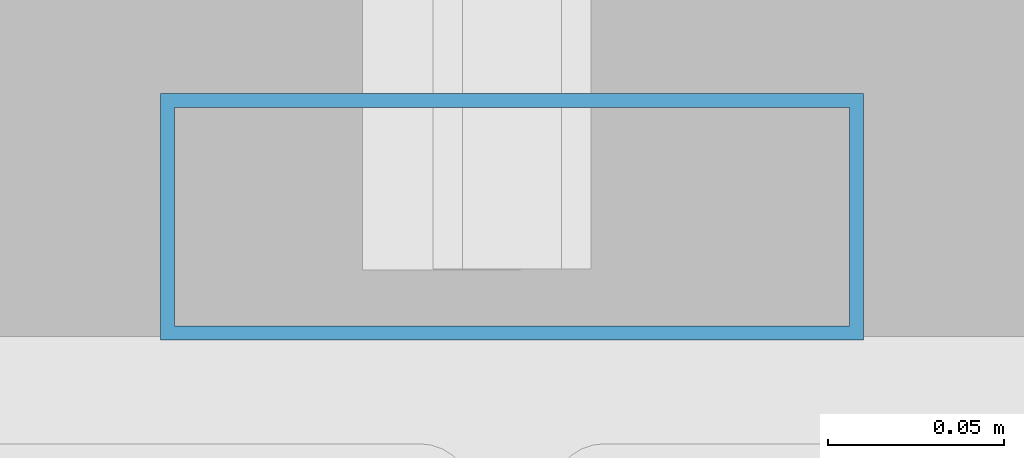
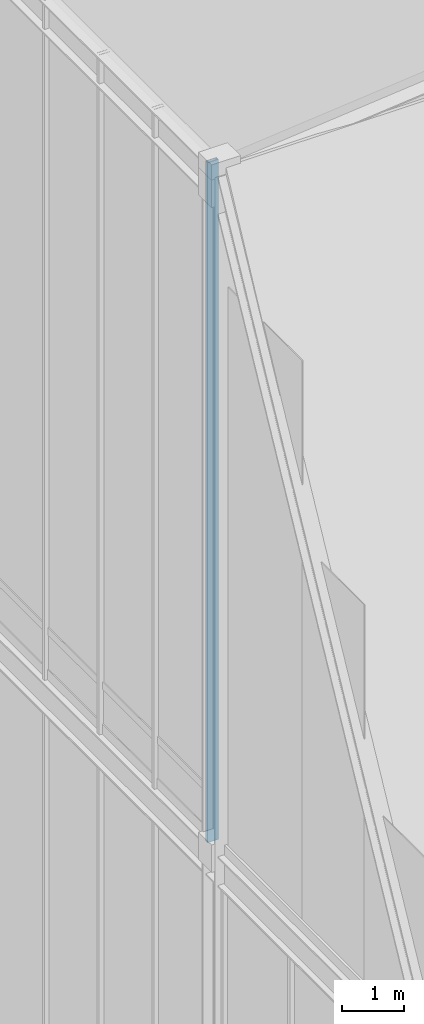
# One storey, part 5 of 49: 1 member, 1 element without a shape of its own.
"""IFC4 building model written with IfcOpenShell, lengths in metres."""

from ifc_helpers import new_model, si_unit, direction, frame, origin, origin_2d, place, context, subcontext, project, spatial, hollow_rectangle, extrude, source, transform, mapped, material, layer, layer_set, material_profile, profile_set, type_object, element, aggregate, save


model = new_model("IFC4")

# Units and contexts
model_context = context("Model", 3, precision=1e-05, world=origin(), true_north=direction((0.0, 1.0)))
body_context = subcontext(model_context, "Body", "Model", "MODEL_VIEW")
ifc_project = project(units=[si_unit("LENGTHUNIT", "METRE"), si_unit("AREAUNIT", "SQUARE_METRE"), si_unit("VOLUMEUNIT", "CUBIC_METRE"), si_unit("PLANEANGLEUNIT", "RADIAN"), si_unit("MASSUNIT", "GRAM", prefix="KILO")], contexts=[model_context])

# Site, building, storey
site_placement = place(None, origin())
site = spatial("IfcSite", under=ifc_project, at=site_placement, CompositionType="ELEMENT")
building_placement = place(site_placement, origin())
building = spatial("IfcBuilding", under=site, at=building_placement, Name="Kaliganga Portal Commons", CompositionType="ELEMENT")
storey_placement = place(building_placement, frame((0.0, 0.0, 298.0)))
storey = spatial("IfcBuildingStorey", under=building, at=storey_placement, Name="L77", CompositionType="ELEMENT", Elevation=298.0)

# Curtain wall, member
ifc_material_1 = material(Name="Anodized Aluminium and Laminated Low-E Glass", Category="aluminium")
ifc_layer = layer(ifc_material_1, 0.25)
ifc_layer_set = layer_set([ifc_layer], Name="Anodized Aluminium and Laminated Low-E Glass")
curtain_wall_type = type_object("IfcCurtainWallType", Name="CW-SYS-06", PredefinedType="NOTDEFINED", material=ifc_layer_set)
curtain_wall_placement = place(storey_placement, origin())
curtain_wall = element("IfcCurtainWall", 1, at=curtain_wall_placement, inside=storey, type_object=curtain_wall_type, Name="CW 06 L77 WU", PredefinedType="NOTDEFINED")
ifc_material_2 = material(Name="Dark Bronze Anodized Aluminium", Category="aluminium")
ifc_material_profile = material_profile(ifc_material_2, hollow_rectangle(XDim=0.070068359375, YDim=0.199951171875, WallThickness=0.00390625, at=origin_2d()), Name="ALU MULL 70x200x4")
ifc_profile_set = profile_set([ifc_material_profile], Name="Dark Bronze Anodized Aluminium")
member_type = type_object("IfcMemberType", Name="CW-MUL-220", PredefinedType="MULLION", material=ifc_profile_set)
shared_shape = source(origin(), body_context, "Body", "SweptSolid", [
    extrude(hollow_rectangle(XDim=0.070068359375, YDim=0.199951171875, WallThickness=0.00390625, at=origin_2d()), origin(), (0.0, 0.0, 1.0), 13.409912109375),
])
member_placement = place(storey_placement, frame((14.39990234375, 28.89501953125, 21.0), z_axis=(0.0, 0.0, 1.0), x_axis=(0.0, 1.0, 0.0)))
member = element("IfcMember", 2, at=member_placement, type_object=member_type, Name="CW:06:L77:WU Mullion 00", PredefinedType="MULLION", context=body_context, shape_type="MappedRepresentation", body=[
    mapped(shared_shape, transform((0.0, 0.0, 0.0), x_axis=(1.0, 0.0, 0.0), y_axis=(0.0, 1.0, 0.0), z_axis=(0.0, 0.0, 1.0), scale=1.0)),
])
aggregate(curtain_wall, [member])

save(model, "model.ifc")
